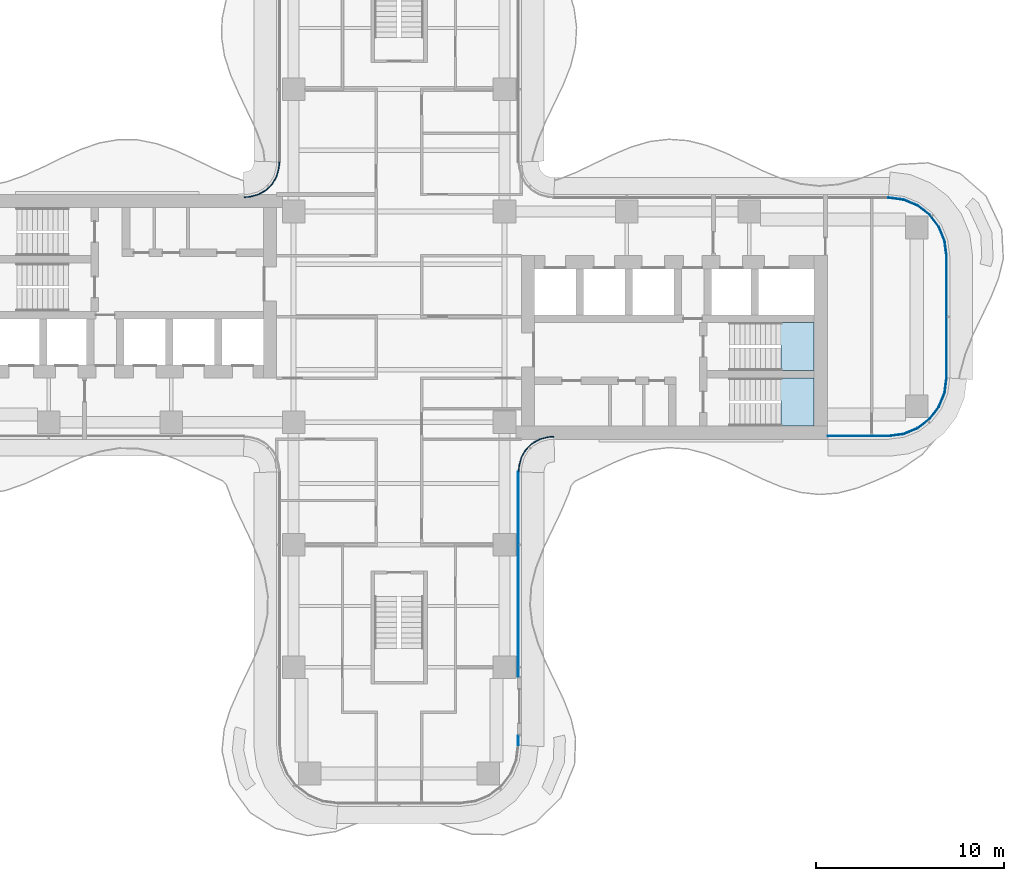
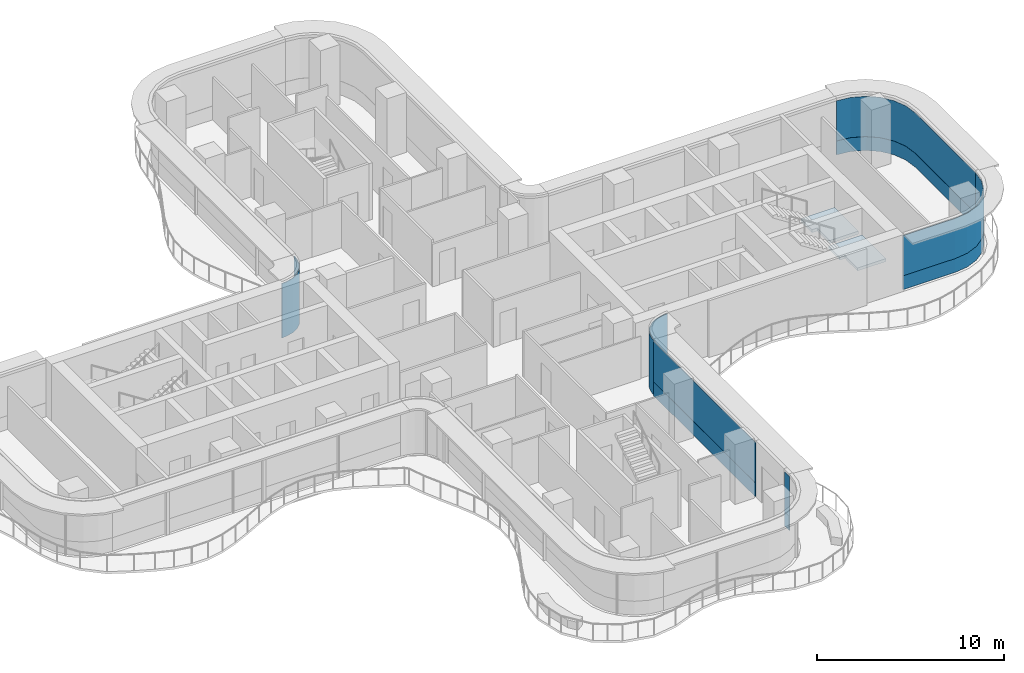
# One storey, part 11 of 18: 10 plates, 2 slabs, 8 elements without a shape of their own.
"""IFC4 building model written with IfcOpenShell, lengths in metres."""

from ifc_helpers import new_model, si_unit, direction, frame, origin, place, context, subcontext, project, spatial, polyline, outline, extrude, source, transform, mapped, material, layer, layer_set, type_object, element, aggregate, save


model = new_model("IFC4")

# Units and contexts
model_context = context("Model", 3, precision=1e-05, world=origin(), true_north=direction((0.0, 1.0)))
body_context = subcontext(model_context, "Body", "Model", "MODEL_VIEW")
ifc_project = project(units=[si_unit("LENGTHUNIT", "METRE"), si_unit("AREAUNIT", "SQUARE_METRE"), si_unit("VOLUMEUNIT", "CUBIC_METRE"), si_unit("PLANEANGLEUNIT", "RADIAN"), si_unit("MASSUNIT", "GRAM", prefix="KILO")], contexts=[model_context])

# Site, building, storey
site_placement = place(None, origin())
site = spatial("IfcSite", under=ifc_project, at=site_placement, CompositionType="ELEMENT")
building_placement = place(site_placement, origin())
building = spatial("IfcBuilding", under=site, at=building_placement, Name="Trellis Farm Tower", CompositionType="ELEMENT")
storey_placement = place(building_placement, frame((0.0, 0.0, 177.60009765625)))
storey = spatial("IfcBuildingStorey", under=building, at=storey_placement, Name="L38", CompositionType="ELEMENT", Elevation=177.60009765625)

# Stair, slab
ifc_material_1 = material(Name="Concrete C50/60", Category="concrete")
stair_type = type_object("IfcStairType", Name="CORE EXIT STAIR 22 RISERS 177 MM", PredefinedType="HALF_TURN_STAIR", material=ifc_material_1)
placement_1 = place(storey_placement, origin())
stair_1 = element("IfcStair", 1, at=placement_1, inside=storey, type_object=stair_type, Name="Exit stair E1", PredefinedType="HALF_TURN_STAIR")
ifc_layer_1 = layer(ifc_material_1, 0.18994140625)
ifc_layer_set_1 = layer_set([ifc_layer_1], Name="CORE STAIR LANDING 190 CONCRETE C50/60")
slab_type = type_object("IfcSlabType", Name="CORE STAIR LANDING 190 CONCRETE C50/60", PredefinedType="LANDING", material=ifc_layer_set_1)
shared_shape_1 = source(origin(), body_context, "Body", "SweptSolid", [
    extrude(outline(polyline([(20.2900390625, -5.800048828125), (20.2900390625, -4.60009765625), (20.300048828125, -4.60009765625), (20.300048828125, -4.449951171875), (19.971923828125, -4.449951171875), (19.971923828125, -3.25), (20.300048828125, -3.25), (22.050048828125, -3.25), (22.050048828125, -5.800048828125), (20.300048828125, -5.800048828125), (20.2900390625, -5.800048828125)])), origin(), (0.0, 0.0, 1.0), 0.18994140625),
])
placement_2 = place(storey_placement, frame((0.0, 0.0, 1.760009765625)))
slab_1 = element("IfcSlab", 2, at=placement_2, type_object=slab_type, Name="STE1 landing 1", PredefinedType="LANDING", context=body_context, shape_type="MappedRepresentation", body=[
    mapped(shared_shape_1, transform((0.0, 0.0, 0.0))),
])
aggregate(stair_1, [slab_1])

stair_2 = element("IfcStair", 3, at=placement_1, inside=storey, type_object=stair_type, Name="Exit stair E2", PredefinedType="HALF_TURN_STAIR")
shared_shape_2 = source(origin(), body_context, "Body", "SweptSolid", [
    extrude(outline(polyline([(20.2900390625, -2.85009765625), (20.2900390625, -1.64990234375), (20.300048828125, -1.64990234375), (20.300048828125, -1.5), (19.971923828125, -1.5), (19.971923828125, -0.300048828125), (20.300048828125, -0.300048828125), (22.050048828125, -0.300048828125), (22.050048828125, -2.85009765625), (20.300048828125, -2.85009765625), (20.2900390625, -2.85009765625)])), origin(), (0.0, 0.0, 1.0), 0.18994140625),
])
slab_2 = element("IfcSlab", 4, at=placement_2, type_object=slab_type, Name="STE2 landing 1", PredefinedType="LANDING", context=body_context, shape_type="MappedRepresentation", body=[
    mapped(shared_shape_2, transform((0.0, 0.0, 0.0))),
])
aggregate(stair_2, [slab_2])

# Curtain wall, plate
ifc_material_2 = material(Name="Aluminium and glass curtain wall", Category="aluminium")
ifc_layer_2 = layer(ifc_material_2, 0.18994140625)
ifc_layer_set_2 = layer_set([ifc_layer_2], Name="RIBBON CURTAIN WALL CW1")
curtain_wall_type_1 = type_object("IfcCurtainWallType", Name="RIBBON CURTAIN WALL CW1", PredefinedType="NOTDEFINED", material=ifc_layer_set_2)
curtain_wall_1 = element("IfcCurtainWall", 5, at=placement_1, inside=storey, type_object=curtain_wall_type_1, Name="CW1 006", PredefinedType="NOTDEFINED")
ifc_material_3 = material(Name="Sandstone faced insulated panel", Category="masonry")
ifc_layer_3 = layer(ifc_material_3, 0.050048828125)
ifc_layer_set_3 = layer_set([ifc_layer_3], Name="CW1 STONE SPANDREL PANEL 50")
plate_type_1 = type_object("IfcPlateType", Name="CW1 STONE SPANDREL PANEL 50", PredefinedType="CURTAIN_PANEL", material=ifc_layer_set_3)
shared_shape_3 = source(origin(), body_context, "Body", "SweptSolid", [
    extrude(outline(polyline([(22.780029296875, -6.35009765625), (25.990234375, -6.35009765625), (26.802001953125, -6.2431640625), (27.54931640625, -5.93359375), (28.191162109375, -5.441162109375), (28.68359375, -4.79931640625), (28.9931640625, -4.052001953125), (29.10009765625, -3.240234375), (29.050048828125, -3.23681640625), (28.9443359375, -4.0390625), (28.639892578125, -4.774169921875), (28.155517578125, -5.405517578125), (27.524169921875, -5.889892578125), (26.7890625, -6.1943359375), (25.98681640625, -6.300048828125), (22.780029296875, -6.300048828125), (22.780029296875, -6.35009765625)])), origin(), (0.0, 0.0, 1.0), 0.89990234375),
])
plate_1 = element("IfcPlate", 6, at=placement_1, type_object=plate_type_1, Name="PS1 006", PredefinedType="CURTAIN_PANEL", context=body_context, shape_type="MappedRepresentation", body=[
    mapped(shared_shape_3, transform((0.0, 0.0, 0.0))),
])

curtain_wall_2 = element("IfcCurtainWall", 7, at=placement_1, inside=storey, type_object=curtain_wall_type_1, Name="CW1 007", PredefinedType="NOTDEFINED")
shared_shape_4 = source(origin(), body_context, "Body", "SweptSolid", [
    extrude(outline(polyline([(29.10009765625, -3.240234375), (29.10009765625, 3.240234375), (28.9931640625, 4.052001953125), (28.68359375, 4.79931640625), (28.191162109375, 5.441162109375), (27.54931640625, 5.93359375), (26.802001953125, 6.2431640625), (25.990234375, 6.35009765625), (25.98681640625, 6.300048828125), (26.7890625, 6.1943359375), (27.524169921875, 5.889892578125), (28.155517578125, 5.405517578125), (28.639892578125, 4.774169921875), (28.9443359375, 4.0390625), (29.050048828125, 3.23681640625), (29.050048828125, -3.23681640625), (29.10009765625, -3.240234375)])), origin(), (0.0, 0.0, 1.0), 0.89990234375),
])
plate_2 = element("IfcPlate", 8, at=placement_1, type_object=plate_type_1, Name="PS1 007", PredefinedType="CURTAIN_PANEL", context=body_context, shape_type="MappedRepresentation", body=[
    mapped(shared_shape_4, transform((0.0, 0.0, 0.0))),
])

curtain_wall_3 = element("IfcCurtainWall", 9, at=placement_1, inside=storey, type_object=curtain_wall_type_1, Name="CW1 004", PredefinedType="NOTDEFINED")
shared_shape_5 = source(origin(), body_context, "Body", "SweptSolid", [
    extrude(outline(polyline([(6.35009765625, -22.740234375), (6.35009765625, -22.235107421875), (6.300048828125, -22.235107421875), (6.300048828125, -22.73681640625), (6.35009765625, -22.740234375)])), origin(), (0.0, 0.0, 1.0), 0.89990234375),
])
plate_3 = element("IfcPlate", 10, at=placement_1, type_object=plate_type_1, Name="PS1 004", PredefinedType="CURTAIN_PANEL", context=body_context, shape_type="MappedRepresentation", body=[
    mapped(shared_shape_5, transform((0.0, 0.0, 0.0))),
])

curtain_wall_4 = element("IfcCurtainWall", 11, at=placement_1, inside=storey, type_object=curtain_wall_type_1, Name="CW1 005", PredefinedType="NOTDEFINED")
shared_shape_6 = source(origin(), body_context, "Body", "SweptSolid", [
    extrude(outline(polyline([(6.35009765625, -19.114990234375), (6.35009765625, -8.2265625), (6.300048828125, -8.224853515625), (6.300048828125, -19.114990234375), (6.35009765625, -19.114990234375)])), origin(), (0.0, 0.0, 1.0), 0.89990234375),
])
plate_4 = element("IfcPlate", 12, at=placement_1, type_object=plate_type_1, Name="PS1 005", PredefinedType="CURTAIN_PANEL", context=body_context, shape_type="MappedRepresentation", body=[
    mapped(shared_shape_6, transform((0.0, 0.0, 0.0))),
])

# Plate
ifc_material_4 = material(Name="Clear insulated glass", Category="glass")
ifc_layer_4 = layer(ifc_material_4, 0.0400390625)
ifc_layer_set_4 = layer_set([ifc_layer_4], Name="CW1 GLASS PANEL 40")
plate_type_2 = type_object("IfcPlateType", Name="CW1 GLASS PANEL 40", PredefinedType="CURTAIN_PANEL", material=ifc_layer_set_4)
shared_shape_7 = source(origin(), body_context, "Body", "SweptSolid", [
    extrude(outline(polyline([(22.780029296875, -6.35009765625), (25.990234375, -6.35009765625), (26.802001953125, -6.2431640625), (27.54931640625, -5.93359375), (28.191162109375, -5.441162109375), (28.68359375, -4.79931640625), (28.9931640625, -4.052001953125), (29.10009765625, -3.240234375), (29.06005859375, -3.237548828125), (28.9541015625, -4.04150390625), (28.648681640625, -4.779296875), (28.16259765625, -5.41259765625), (27.529296875, -5.898681640625), (26.79150390625, -6.2041015625), (25.987548828125, -6.31005859375), (22.780029296875, -6.31005859375), (22.780029296875, -6.35009765625)])), origin(), (0.0, 0.0, 1.0), 2.6201171875),
])
placement_3 = place(storey_placement, frame((0.0, 0.0, 0.89990234375)))
plate_5 = element("IfcPlate", 13, at=placement_3, type_object=plate_type_2, Name="PL1 006", PredefinedType="CURTAIN_PANEL", context=body_context, shape_type="MappedRepresentation", body=[
    mapped(shared_shape_7, transform((0.0, 0.0, 0.0))),
])

aggregate(curtain_wall_1, [plate_5, plate_1])

shared_shape_8 = source(origin(), body_context, "Body", "SweptSolid", [
    extrude(outline(polyline([(29.10009765625, -3.240234375), (29.10009765625, 3.240234375), (28.9931640625, 4.052001953125), (28.68359375, 4.79931640625), (28.191162109375, 5.441162109375), (27.54931640625, 5.93359375), (26.802001953125, 6.2431640625), (25.990234375, 6.35009765625), (25.987548828125, 6.31005859375), (26.79150390625, 6.2041015625), (27.529296875, 5.898681640625), (28.16259765625, 5.41259765625), (28.648681640625, 4.779296875), (28.9541015625, 4.04150390625), (29.06005859375, 3.237548828125), (29.06005859375, -3.237548828125), (29.10009765625, -3.240234375)])), origin(), (0.0, 0.0, 1.0), 2.6201171875),
])
plate_6 = element("IfcPlate", 14, at=placement_3, type_object=plate_type_2, Name="PL1 007", PredefinedType="CURTAIN_PANEL", context=body_context, shape_type="MappedRepresentation", body=[
    mapped(shared_shape_8, transform((0.0, 0.0, 0.0))),
])

aggregate(curtain_wall_2, [plate_6, plate_2])

shared_shape_9 = source(origin(), body_context, "Body", "SweptSolid", [
    extrude(outline(polyline([(6.35009765625, -22.740234375), (6.35009765625, -22.235107421875), (6.31005859375, -22.235107421875), (6.31005859375, -22.737548828125), (6.35009765625, -22.740234375)])), origin(), (0.0, 0.0, 1.0), 2.6201171875),
])
plate_7 = element("IfcPlate", 15, at=placement_3, type_object=plate_type_2, Name="PL1 004", PredefinedType="CURTAIN_PANEL", context=body_context, shape_type="MappedRepresentation", body=[
    mapped(shared_shape_9, transform((0.0, 0.0, 0.0))),
])

aggregate(curtain_wall_3, [plate_7, plate_3])

shared_shape_10 = source(origin(), body_context, "Body", "SweptSolid", [
    extrude(outline(polyline([(6.35009765625, -19.114990234375), (6.35009765625, -8.2265625), (6.31005859375, -8.22509765625), (6.31005859375, -19.114990234375), (6.35009765625, -19.114990234375)])), origin(), (0.0, 0.0, 1.0), 2.6201171875),
])
plate_8 = element("IfcPlate", 16, at=placement_3, type_object=plate_type_2, Name="PL1 005", PredefinedType="CURTAIN_PANEL", context=body_context, shape_type="MappedRepresentation", body=[
    mapped(shared_shape_10, transform((0.0, 0.0, 0.0))),
])

aggregate(curtain_wall_4, [plate_8, plate_4])

# Curtain wall, plate
ifc_layer_5 = layer(ifc_material_2, 0.166015625)
ifc_layer_set_5 = layer_set([ifc_layer_5], Name="WINTER GARDEN CURTAIN WALL CW3")
curtain_wall_type_2 = type_object("IfcCurtainWallType", Name="WINTER GARDEN CURTAIN WALL CW3", PredefinedType="NOTDEFINED", material=ifc_layer_set_5)
curtain_wall_5 = element("IfcCurtainWall", 17, at=placement_1, inside=storey, type_object=curtain_wall_type_2, Name="CW3 002", PredefinedType="NOTDEFINED")
ifc_layer_6 = layer(ifc_material_4, 0.0458984375)
ifc_layer_set_6 = layer_set([ifc_layer_6], Name="CW3 GLASS PANEL 46")
plate_type_3 = type_object("IfcPlateType", Name="CW3 GLASS PANEL 46", PredefinedType="CURTAIN_PANEL", material=ifc_layer_set_6)
shared_shape_11 = source(origin(), body_context, "Body", "SweptSolid", [
    extrude(outline(polyline([(6.3798828125, -8.2275390625), (6.394287109375, -8.0078125), (6.40966796875, -7.89208984375), (6.52490234375, -7.462158203125), (6.7509765625, -7.070556640625), (7.070556640625, -6.7509765625), (7.462158203125, -6.52490234375), (7.89208984375, -6.40966796875), (8.0078125, -6.394287109375), (8.2275390625, -6.3798828125), (8.22607421875, -6.333984375), (8.003173828125, -6.3486328125), (7.883056640625, -6.364501953125), (7.4443359375, -6.48193359375), (7.04248046875, -6.714111328125), (6.714111328125, -7.04248046875), (6.48193359375, -7.4443359375), (6.364501953125, -7.883056640625), (6.3486328125, -8.003173828125), (6.333984375, -8.22607421875), (6.3798828125, -8.2275390625)])), origin(), (0.0, 0.0, 1.0), 3.5498046875),
])
plate_9 = element("IfcPlate", 18, at=placement_1, type_object=plate_type_3, Name="PL3 002", PredefinedType="CURTAIN_PANEL", context=body_context, shape_type="MappedRepresentation", body=[
    mapped(shared_shape_11, transform((0.0, 0.0, 0.0))),
])
aggregate(curtain_wall_5, [plate_9])

curtain_wall_6 = element("IfcCurtainWall", 19, at=placement_1, inside=storey, type_object=curtain_wall_type_2, Name="CW3 004", PredefinedType="NOTDEFINED")
shared_shape_12 = source(origin(), body_context, "Body", "SweptSolid", [
    extrude(outline(polyline([(-6.3798828125, 8.2275390625), (-6.394287109375, 8.0078125), (-6.40966796875, 7.89208984375), (-6.52490234375, 7.462158203125), (-6.7509765625, 7.070556640625), (-7.070556640625, 6.7509765625), (-7.462158203125, 6.52490234375), (-7.89208984375, 6.40966796875), (-8.0078125, 6.394287109375), (-8.2275390625, 6.3798828125), (-8.22607421875, 6.333984375), (-8.003173828125, 6.3486328125), (-7.883056640625, 6.364501953125), (-7.4443359375, 6.48193359375), (-7.04248046875, 6.714111328125), (-6.714111328125, 7.04248046875), (-6.48193359375, 7.4443359375), (-6.364501953125, 7.883056640625), (-6.3486328125, 8.003173828125), (-6.333984375, 8.22607421875), (-6.3798828125, 8.2275390625)])), origin(), (0.0, 0.0, 1.0), 3.5498046875),
])
plate_10 = element("IfcPlate", 20, at=placement_1, type_object=plate_type_3, Name="PL3 004", PredefinedType="CURTAIN_PANEL", context=body_context, shape_type="MappedRepresentation", body=[
    mapped(shared_shape_12, transform((0.0, 0.0, 0.0))),
])
aggregate(curtain_wall_6, [plate_10])

save(model, "model.ifc")
